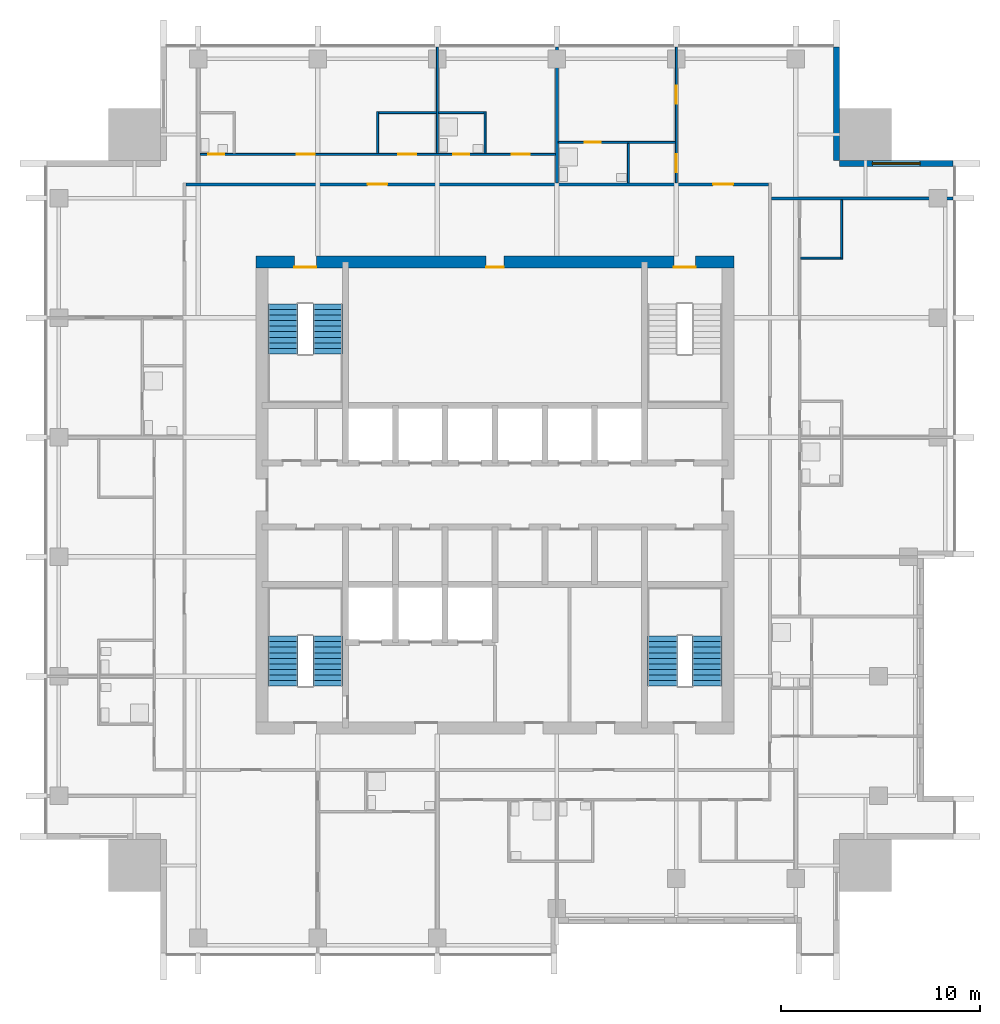
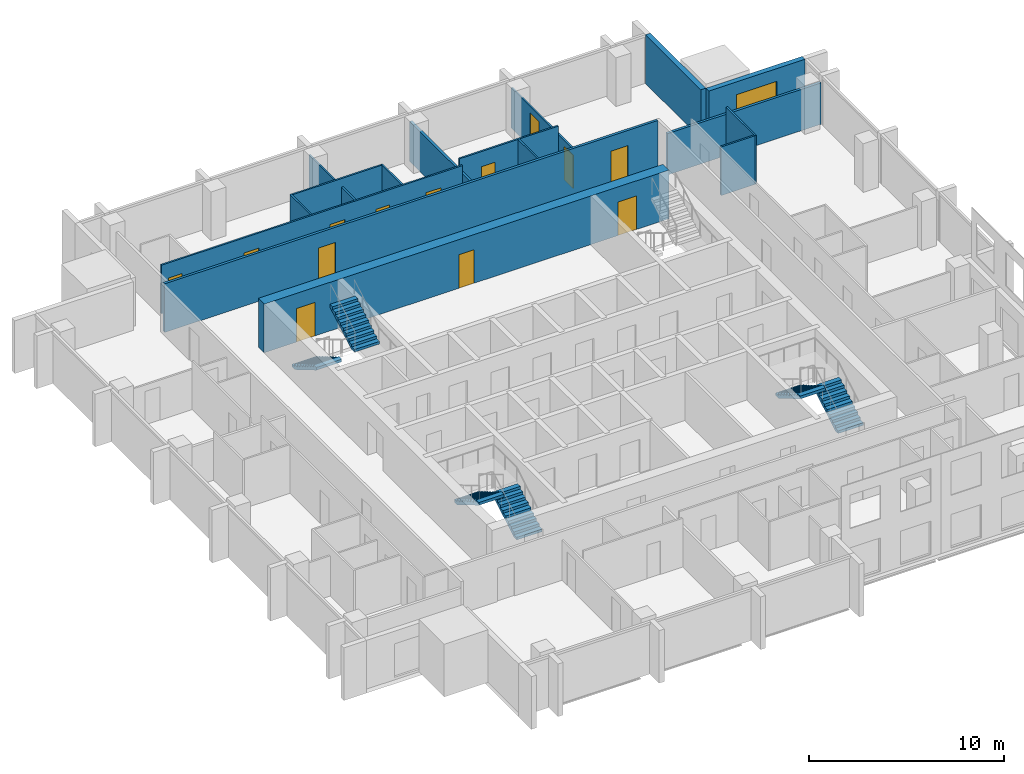
# One storey, part 7 of 11: 16 walls, 13 doors, 6 stair flights, 1 window, 14 openings, 3 elements without a shape of their own.
"""IFC4 building model written with IfcOpenShell, lengths in metres."""

from ifc_helpers import new_model, si_unit, direction, frame, frame_2d, origin, place, context, subcontext, project, spatial, polyline, rectangle, outline, extrude, material, layer, layer_set, type_object, element, fill, aggregate, save


model = new_model("IFC4")

# Units and contexts
model_context = context("Model", 3, precision=1e-05, world=origin(), true_north=direction((0.0, 1.0)))
body_context = subcontext(model_context, "Body", "Model", "MODEL_VIEW")
ifc_project = project(units=[si_unit("LENGTHUNIT", "METRE"), si_unit("AREAUNIT", "SQUARE_METRE"), si_unit("VOLUMEUNIT", "CUBIC_METRE"), si_unit("PLANEANGLEUNIT", "RADIAN"), si_unit("MASSUNIT", "GRAM", prefix="KILO")], contexts=[model_context])

# Site, building, storey
site_placement = place(None, origin())
site = spatial("IfcSite", under=ifc_project, at=site_placement, CompositionType="ELEMENT")
building_placement = place(site_placement, origin())
building = spatial("IfcBuilding", under=site, at=building_placement, Name="Amberfall Residences", CompositionType="ELEMENT")
storey_placement = place(building_placement, frame((0.0, 0.0, 223.300048828125)))
storey = spatial("IfcBuildingStorey", under=building, at=storey_placement, Name="L60", CompositionType="ELEMENT", Elevation=223.300048828125)

# Wall, opening, window
ifc_material_1 = material(Name="Pale stone cladding on insulated backing", Category="masonry")
ifc_layer_1 = layer(ifc_material_1, 0.300048828125)
ifc_layer_set_1 = layer_set([ifc_layer_1], Name="Bronze clad wall 300")
wall_type_1 = type_object("IfcWallType", Name="Bronze clad wall 300", PredefinedType="SOLIDWALL", material=ifc_layer_set_1)
wall_1_placement = place(storey_placement, frame((97.5, 62.14990234375, 0.0), z_axis=(0.0, 0.0, 1.0), x_axis=(-1.0, 0.0, 0.0)))
wall_1 = element("IfcWall", 1, at=wall_1_placement, inside=storey, type_object=wall_type_1, Name="External wall L60 NE", PredefinedType="SOLIDWALL", context=body_context, shape_type="SweptSolid", body=[
    extrude(rectangle(XDim=5.699951171875, YDim=0.300048828125, at=frame_2d((2.85009765625, 0.0))), origin(), (0.0, 0.0, 1.0), 3.050048828125),
])
opening_1_placement = place(wall_1_placement, frame((1.64990234375, 0.0, 0.14990234375)))
opening_1 = element("IfcOpeningElement", 2, at=opening_1_placement, cuts=wall_1, Name="Opening WN5", PredefinedType="OPENING", context=body_context, shape_type="SweptSolid", body=[
    extrude(rectangle(XDim=2.39990234375, YDim=2.10009765625, at=frame_2d((1.199951171875, 1.050048828125))), frame((0.0, 0.159912109375, 0.0), z_axis=(0.0, -1.0, 0.0), x_axis=(1.0, 0.0, 0.0)), (0.0, 0.0, 1.0), 0.320068359375),
])
ifc_material_2 = material(Name="Bronze aluminium framed glazing", Category="aluminium")
window_type = type_object("IfcWindowType", Name="Glazed opening 2400 x 2100 bronze", PartitioningType="DOUBLE_PANEL_VERTICAL", PredefinedType="WINDOW", material=ifc_material_2)
window_placement = place(opening_1_placement, origin())
window = element("IfcWindow", 3, at=window_placement, inside=storey, type_object=window_type, Name="Window L60 NE", OverallHeight=2.10009765625, OverallWidth=2.39990234375, PartitioningType="DOUBLE_PANEL_VERTICAL", PredefinedType="WINDOW", context=body_context, shape_type="SweptSolid", body=[
    extrude(rectangle(XDim=2.39990234375, YDim=2.10009765625, at=frame_2d((1.199951171875, 1.050048828125))), frame((0.0, 0.030029296875, 0.0), z_axis=(0.0, -1.0, 0.0), x_axis=(1.0, 0.0, 0.0)), (0.0, 0.0, 1.0), 0.06005859375),
])
fill(opening_1, window)

# Wall
wall_2_placement = place(storey_placement, frame((91.64990234375, 62.300048828125, 0.0), z_axis=(0.0, 0.0, 1.0), x_axis=(0.0, 1.0, 0.0)))
element("IfcWall", 4, at=wall_2_placement, inside=storey, type_object=wall_type_1, Name="External wall L60 NE", PredefinedType="SOLIDWALL", context=body_context, shape_type="SweptSolid", body=[
    extrude(rectangle(XDim=5.699951171875, YDim=0.300048828125, at=frame_2d((2.85009765625, 0.0))), origin(), (0.0, 0.0, 1.0), 3.050048828125),
])

# Wall, openings, doors
ifc_material_3 = material(Name="Concrete C55", Category="concrete")
ifc_layer_2 = layer(ifc_material_3, 0.60009765625)
ifc_layer_set_2 = layer_set([ifc_layer_2], Name="Core wall 600 C55")
wall_type_2 = type_object("IfcWallType", Name="Core wall 600 C55", PredefinedType="SHEAR", material=ifc_layer_set_2)
wall_3_placement = place(storey_placement, frame((62.5, 57.199951171875, 0.0), z_axis=(0.0, 0.0, 1.0), x_axis=(1.0, 0.0, 0.0)))
wall_3 = element("IfcWall", 5, at=wall_3_placement, inside=storey, type_object=wall_type_2, Name="Core wall RW7 L60 ON", PredefinedType="SHEAR", context=body_context, shape_type="SweptSolid", body=[
    extrude(rectangle(XDim=24.0, YDim=0.60009765625, at=frame_2d((12.0, 0.0))), origin(), (0.0, 0.0, 1.0), 3.050048828125),
])
opening_2_placement = place(wall_3_placement, frame((20.97509765625, 0.0, 0.0)))
opening_2 = element("IfcOpeningElement", 6, at=opening_2_placement, cuts=wall_3, Name="Opening SD1", PredefinedType="OPENING", context=body_context, shape_type="SweptSolid", body=[
    extrude(rectangle(XDim=1.10009765625, YDim=2.10009765625, at=frame_2d((0.550048828125, 1.050048828125))), frame((0.0, 0.31005859375, 0.0), z_axis=(0.0, -1.0, 0.0), x_axis=(1.0, 0.0, 0.0)), (0.0, 0.0, 1.0), 0.6201171875),
])
opening_3_placement = place(wall_3_placement, frame((1.925048828125, 0.0, 0.0)))
opening_3 = element("IfcOpeningElement", 7, at=opening_3_placement, cuts=wall_3, Name="Opening SD1", PredefinedType="OPENING", context=body_context, shape_type="SweptSolid", body=[
    extrude(rectangle(XDim=1.10009765625, YDim=2.10009765625, at=frame_2d((0.550048828125, 1.050048828125))), frame((0.0, 0.31005859375, 0.0), z_axis=(0.0, -1.0, 0.0), x_axis=(1.0, 0.0, 0.0)), (0.0, 0.0, 1.0), 0.6201171875),
])
opening_4_placement = place(wall_3_placement, frame((11.550048828125, 0.0, 0.0)))
opening_4 = element("IfcOpeningElement", 8, at=opening_4_placement, cuts=wall_3, Name="Opening RD1", PredefinedType="OPENING", context=body_context, shape_type="SweptSolid", body=[
    extrude(rectangle(XDim=0.89990234375, YDim=2.10009765625, at=frame_2d((0.449951171875, 1.050048828125))), frame((0.0, 0.31005859375, 0.0), z_axis=(0.0, -1.0, 0.0), x_axis=(1.0, 0.0, 0.0)), (0.0, 0.0, 1.0), 0.6201171875),
])
ifc_material_4 = material(Name="Steel fire door set", Category="steel")
door_type_1 = type_object("IfcDoorType", Name="Service room door 900 x 2100", OperationType="SINGLE_SWING_LEFT", PredefinedType="DOOR", material=ifc_material_4)
door_1_placement = place(opening_4_placement, origin())
door_1 = element("IfcDoor", 9, at=door_1_placement, inside=storey, type_object=door_type_1, Name="RD1 L60", OperationType="SINGLE_SWING_RIGHT", OverallHeight=2.10009765625, OverallWidth=0.89990234375, PredefinedType="DOOR", context=body_context, shape_type="SweptSolid", body=[
    extrude(rectangle(XDim=0.89990234375, YDim=2.10009765625, at=frame_2d((0.449951171875, 1.050048828125))), frame((0.0, -0.2373046875, 0.0), z_axis=(0.0, -1.0, 0.0), x_axis=(1.0, 0.0, 0.0)), (0.0, 0.0, 1.0), 0.050048828125),
])
fill(opening_4, door_1)
door_type_2 = type_object("IfcDoorType", Name="Stair door 1100 x 2100", OperationType="SINGLE_SWING_LEFT", PredefinedType="DOOR", material=ifc_material_4)
door_2_placement = place(opening_2_placement, origin())
door_2 = element("IfcDoor", 10, at=door_2_placement, inside=storey, type_object=door_type_2, Name="SD1 L60", OperationType="SINGLE_SWING_RIGHT", OverallHeight=2.10009765625, OverallWidth=1.10009765625, PredefinedType="DOOR", context=body_context, shape_type="SweptSolid", body=[
    extrude(rectangle(XDim=1.10009765625, YDim=2.10009765625, at=frame_2d((0.550048828125, 1.050048828125))), frame((0.0, -0.2373046875, 0.0), z_axis=(0.0, -1.0, 0.0), x_axis=(1.0, 0.0, 0.0)), (0.0, 0.0, 1.0), 0.050048828125),
])
fill(opening_2, door_2)
door_3_placement = place(opening_3_placement, origin())
door_3 = element("IfcDoor", 11, at=door_3_placement, inside=storey, type_object=door_type_2, Name="SD1 L60", OperationType="SINGLE_SWING_LEFT", OverallHeight=2.10009765625, OverallWidth=1.10009765625, PredefinedType="DOOR", context=body_context, shape_type="SweptSolid", body=[
    extrude(rectangle(XDim=1.10009765625, YDim=2.10009765625, at=frame_2d((0.550048828125, 1.050048828125))), frame((0.0, -0.2373046875, 0.0), z_axis=(0.0, -1.0, 0.0), x_axis=(1.0, 0.0, 0.0)), (0.0, 0.0, 1.0), 0.050048828125),
])
fill(opening_3, door_3)

# Walls
ifc_material_5 = material(Name="Gypsum board on metal stud")
ifc_layer_3 = layer(ifc_material_5, 0.10009765625)
ifc_layer_set_3 = layer_set([ifc_layer_3], Name="Flat partition 100")
wall_type_3 = type_object("IfcWallType", Name="Flat partition 100", PredefinedType="PARTITIONING", material=ifc_layer_set_3)
wall_4_placement = place(storey_placement, frame((68.60009765625, 62.64990234375, 0.0), z_axis=(0.0, 0.0, 1.0), x_axis=(0.0, 1.0, 0.0)))
element("IfcWall", 12, at=wall_4_placement, inside=storey, type_object=wall_type_3, Name="Partition 008", PredefinedType="PARTITIONING", context=body_context, shape_type="SweptSolid", body=[
    extrude(rectangle(XDim=2.10009765625, YDim=0.10009765625, at=frame_2d((1.050048828125, 0.0))), origin(), (0.0, 0.0, 1.0), 3.050048828125),
])
wall_5_placement = place(storey_placement, frame((71.60009765625, 62.64990234375, 0.0), z_axis=(0.0, 0.0, 1.0), x_axis=(0.0, 1.0, 0.0)))
element("IfcWall", 13, at=wall_5_placement, inside=storey, type_object=wall_type_3, Name="Partition 009", PredefinedType="PARTITIONING", context=body_context, shape_type="SweptSolid", body=[
    extrude(rectangle(XDim=5.35009765625, YDim=0.10009765625, at=frame_2d((2.675048828125, 0.0))), origin(), (0.0, 0.0, 1.0), 2.515869140625),
])
wall_6_placement = place(storey_placement, frame((74.0, 62.64990234375, 0.0), z_axis=(0.0, 0.0, 1.0), x_axis=(0.0, 1.0, 0.0)))
element("IfcWall", 14, at=wall_6_placement, inside=storey, type_object=wall_type_3, Name="Partition 010", PredefinedType="PARTITIONING", context=body_context, shape_type="SweptSolid", body=[
    extrude(rectangle(XDim=2.10009765625, YDim=0.10009765625, at=frame_2d((1.050048828125, 0.0))), origin(), (0.0, 0.0, 1.0), 3.050048828125),
])
wall_7_placement = place(storey_placement, frame((81.199951171875, 61.175048828125, 0.0), z_axis=(0.0, 0.0, 1.0), x_axis=(0.0, 1.0, 0.0)))
element("IfcWall", 15, at=wall_7_placement, inside=storey, type_object=wall_type_3, Name="Partition 014", PredefinedType="PARTITIONING", context=body_context, shape_type="SweptSolid", body=[
    extrude(rectangle(XDim=1.974853515625, YDim=0.10009765625, at=frame_2d((0.9873046875, 0.0))), origin(), (0.0, 0.0, 1.0), 3.050048828125),
])

# Wall, openings, doors
wall_8_placement = place(storey_placement, frame((83.60009765625, 61.175048828125, 0.0), z_axis=(0.0, 0.0, 1.0), x_axis=(0.0, 1.0, 0.0)))
wall_8 = element("IfcWall", 16, at=wall_8_placement, inside=storey, type_object=wall_type_3, Name="Partition 015", PredefinedType="PARTITIONING", context=body_context, shape_type="SweptSolid", body=[
    extrude(rectangle(XDim=6.824951171875, YDim=0.10009765625, at=frame_2d((3.41259765625, 0.0))), origin(), (0.0, 0.0, 1.0), 2.515869140625),
])
opening_5_placement = place(wall_8_placement, frame((0.52490234375, 0.0, 0.0)))
opening_5 = element("IfcOpeningElement", 17, at=opening_5_placement, cuts=wall_8, Name="Opening D41", PredefinedType="OPENING", context=body_context, shape_type="SweptSolid", body=[
    extrude(rectangle(XDim=0.89990234375, YDim=2.10009765625, at=frame_2d((0.449951171875, 1.050048828125))), frame((0.0, 0.06005859375, 0.0), z_axis=(0.0, -1.0, 0.0), x_axis=(1.0, 0.0, 0.0)), (0.0, 0.0, 1.0), 0.1201171875),
])
opening_6_placement = place(wall_8_placement, frame((3.97509765625, 0.0, 0.0)))
opening_6 = element("IfcOpeningElement", 18, at=opening_6_placement, cuts=wall_8, Name="Opening D41", PredefinedType="OPENING", context=body_context, shape_type="SweptSolid", body=[
    extrude(rectangle(XDim=0.89990234375, YDim=2.10009765625, at=frame_2d((0.449951171875, 1.050048828125))), frame((0.0, 0.06005859375, 0.0), z_axis=(0.0, -1.0, 0.0), x_axis=(1.0, 0.0, 0.0)), (0.0, 0.0, 1.0), 0.1201171875),
])
ifc_material_6 = material(Name="Timber", Category="wood")
door_type_3 = type_object("IfcDoorType", Name="Internal door 900 x 2100", OperationType="SINGLE_SWING_LEFT", PredefinedType="DOOR", material=ifc_material_6)
door_4_placement = place(opening_5_placement, origin())
door_4 = element("IfcDoor", 19, at=door_4_placement, inside=storey, type_object=door_type_3, Name="Door 6006 kitchen", OperationType="SINGLE_SWING_LEFT", OverallHeight=2.10009765625, OverallWidth=0.89990234375, PredefinedType="DOOR", context=body_context, shape_type="SweptSolid", body=[
    extrude(rectangle(XDim=0.89990234375, YDim=2.10009765625, at=frame_2d((0.449951171875, 1.050048828125))), frame((0.0, 0.02490234375, 0.0), z_axis=(0.0, -1.0, 0.0), x_axis=(1.0, 0.0, 0.0)), (0.0, 0.0, 1.0), 0.050048828125),
])
fill(opening_5, door_4)
door_5_placement = place(opening_6_placement, origin())
door_5 = element("IfcDoor", 20, at=door_5_placement, inside=storey, type_object=door_type_3, Name="Door 6006 bedroom1", OperationType="SINGLE_SWING_LEFT", OverallHeight=2.10009765625, OverallWidth=0.89990234375, PredefinedType="DOOR", context=body_context, shape_type="SweptSolid", body=[
    extrude(rectangle(XDim=0.89990234375, YDim=2.10009765625, at=frame_2d((0.449951171875, 1.050048828125))), frame((0.0, 0.02490234375, 0.0), z_axis=(0.0, -1.0, 0.0), x_axis=(1.0, 0.0, 0.0)), (0.0, 0.0, 1.0), 0.050048828125),
])
fill(opening_6, door_5)

# Walls
wall_9_placement = place(storey_placement, frame((91.89990234375, 57.35009765625, 0.0), z_axis=(0.0, 0.0, 1.0), x_axis=(0.0, 1.0, 0.0)))
element("IfcWall", 21, at=wall_9_placement, inside=storey, type_object=wall_type_3, Name="Partition 022", PredefinedType="PARTITIONING", context=body_context, shape_type="SweptSolid", body=[
    extrude(rectangle(XDim=2.974853515625, YDim=0.10009765625, at=frame_2d((1.4873046875, 0.0))), origin(), (0.0, 0.0, 1.0), 3.050048828125),
])
wall_10_placement = place(storey_placement, frame((68.64990234375, 64.699951171875, 0.0), z_axis=(0.0, 0.0, 1.0), x_axis=(1.0, 0.0, 0.0)))
element("IfcWall", 22, at=wall_10_placement, inside=storey, type_object=wall_type_3, Name="Partition 024", PredefinedType="PARTITIONING", context=body_context, shape_type="SweptSolid", body=[
    extrude(rectangle(XDim=5.300048828125, YDim=0.10009765625, at=frame_2d((2.64990234375, 0.0))), origin(), (0.0, 0.0, 1.0), 3.050048828125),
])

# Wall, opening, door
wall_11_placement = place(storey_placement, frame((83.550048828125, 63.199951171875, 0.0), z_axis=(0.0, 0.0, 1.0), x_axis=(-1.0, 0.0, 0.0)))
wall_11 = element("IfcWall", 23, at=wall_11_placement, inside=storey, type_object=wall_type_3, Name="Partition 025", PredefinedType="PARTITIONING", context=body_context, shape_type="SweptSolid", body=[
    extrude(rectangle(XDim=5.875, YDim=0.10009765625, at=frame_2d((2.9375, 0.0))), origin(), (0.0, 0.0, 1.0), 3.050048828125),
])
opening_7_placement = place(wall_11_placement, frame((3.75, 0.0, 0.0)))
opening_7 = element("IfcOpeningElement", 24, at=opening_7_placement, cuts=wall_11, Name="Opening D42", PredefinedType="OPENING", context=body_context, shape_type="SweptSolid", body=[
    extrude(rectangle(XDim=0.800048828125, YDim=2.10009765625, at=frame_2d((0.39990234375, 1.050048828125))), frame((0.0, 0.06005859375, 0.0), z_axis=(0.0, -1.0, 0.0), x_axis=(1.0, 0.0, 0.0)), (0.0, 0.0, 1.0), 0.1201171875),
])
door_type_4 = type_object("IfcDoorType", Name="Bathroom door 800 x 2100", OperationType="SINGLE_SWING_LEFT", PredefinedType="DOOR", material=ifc_material_6)
door_6_placement = place(opening_7_placement, origin())
door_6 = element("IfcDoor", 25, at=door_6_placement, inside=storey, type_object=door_type_4, Name="Door 6006 bath1", OperationType="SINGLE_SWING_LEFT", OverallHeight=2.10009765625, OverallWidth=0.800048828125, PredefinedType="DOOR", context=body_context, shape_type="SweptSolid", body=[
    extrude(rectangle(XDim=0.800048828125, YDim=2.10009765625, at=frame_2d((0.39990234375, 1.050048828125))), frame((0.0, 0.02490234375, 0.0), z_axis=(0.0, -1.0, 0.0), x_axis=(1.0, 0.0, 0.0)), (0.0, 0.0, 1.0), 0.050048828125),
])
fill(opening_7, door_6)

# Wall, openings, doors
wall_12_placement = place(storey_placement, frame((59.675048828125, 62.60009765625, 0.0), z_axis=(0.0, 0.0, 1.0), x_axis=(1.0, 0.0, 0.0)))
wall_12 = element("IfcWall", 26, at=wall_12_placement, inside=storey, type_object=wall_type_3, Name="Partition 026", PredefinedType="PARTITIONING", context=body_context, shape_type="SweptSolid", body=[
    extrude(rectangle(XDim=17.849853515625, YDim=0.10009765625, at=frame_2d((8.9248046875, 0.0))), origin(), (0.0, 0.0, 1.0), 3.050048828125),
])
opening_8_placement = place(wall_12_placement, frame((4.875, 0.0, 0.0)))
opening_8 = element("IfcOpeningElement", 27, at=opening_8_placement, cuts=wall_12, Name="Opening D41", PredefinedType="OPENING", context=body_context, shape_type="SweptSolid", body=[
    extrude(rectangle(XDim=0.89990234375, YDim=2.10009765625, at=frame_2d((0.449951171875, 1.050048828125))), frame((0.0, 0.06005859375, 0.0), z_axis=(0.0, -1.0, 0.0), x_axis=(1.0, 0.0, 0.0)), (0.0, 0.0, 1.0), 0.1201171875),
])
opening_9_placement = place(wall_12_placement, frame((9.97509765625, 0.0, 0.0)))
opening_9 = element("IfcOpeningElement", 28, at=opening_9_placement, cuts=wall_12, Name="Opening D41", PredefinedType="OPENING", context=body_context, shape_type="SweptSolid", body=[
    extrude(rectangle(XDim=0.89990234375, YDim=2.10009765625, at=frame_2d((0.449951171875, 1.050048828125))), frame((0.0, 0.06005859375, 0.0), z_axis=(0.0, -1.0, 0.0), x_axis=(1.0, 0.0, 0.0)), (0.0, 0.0, 1.0), 0.1201171875),
])
opening_10_placement = place(wall_12_placement, frame((0.425048828125, 0.0, 0.0)))
opening_10 = element("IfcOpeningElement", 29, at=opening_10_placement, cuts=wall_12, Name="Opening D42", PredefinedType="OPENING", context=body_context, shape_type="SweptSolid", body=[
    extrude(rectangle(XDim=0.800048828125, YDim=2.10009765625, at=frame_2d((0.39990234375, 1.050048828125))), frame((0.0, 0.06005859375, 0.0), z_axis=(0.0, -1.0, 0.0), x_axis=(1.0, 0.0, 0.0)), (0.0, 0.0, 1.0), 0.1201171875),
])
opening_11_placement = place(wall_12_placement, frame((15.675048828125, 0.0, 0.0)))
opening_11 = element("IfcOpeningElement", 30, at=opening_11_placement, cuts=wall_12, Name="Opening D41", PredefinedType="OPENING", context=body_context, shape_type="SweptSolid", body=[
    extrude(rectangle(XDim=0.89990234375, YDim=2.10009765625, at=frame_2d((0.449951171875, 1.050048828125))), frame((0.0, 0.06005859375, 0.0), z_axis=(0.0, -1.0, 0.0), x_axis=(1.0, 0.0, 0.0)), (0.0, 0.0, 1.0), 0.1201171875),
])
opening_12_placement = place(wall_12_placement, frame((12.72509765625, 0.0, 0.0)))
opening_12 = element("IfcOpeningElement", 31, at=opening_12_placement, cuts=wall_12, Name="Opening D42", PredefinedType="OPENING", context=body_context, shape_type="SweptSolid", body=[
    extrude(rectangle(XDim=0.800048828125, YDim=2.10009765625, at=frame_2d((0.39990234375, 1.050048828125))), frame((0.0, 0.06005859375, 0.0), z_axis=(0.0, -1.0, 0.0), x_axis=(1.0, 0.0, 0.0)), (0.0, 0.0, 1.0), 0.1201171875),
])
door_7_placement = place(opening_10_placement, origin())
door_7 = element("IfcDoor", 32, at=door_7_placement, inside=storey, type_object=door_type_4, Name="Door 6005 wc1", OperationType="SINGLE_SWING_LEFT", OverallHeight=2.10009765625, OverallWidth=0.800048828125, PredefinedType="DOOR", context=body_context, shape_type="SweptSolid", body=[
    extrude(rectangle(XDim=0.800048828125, YDim=2.10009765625, at=frame_2d((0.39990234375, 1.050048828125))), frame((0.0, 0.02490234375, 0.0), z_axis=(0.0, -1.0, 0.0), x_axis=(1.0, 0.0, 0.0)), (0.0, 0.0, 1.0), 0.050048828125),
])
fill(opening_10, door_7)
door_8_placement = place(opening_12_placement, origin())
door_8 = element("IfcDoor", 33, at=door_8_placement, inside=storey, type_object=door_type_4, Name="Door 6005 bath1", OperationType="SINGLE_SWING_LEFT", OverallHeight=2.10009765625, OverallWidth=0.800048828125, PredefinedType="DOOR", context=body_context, shape_type="SweptSolid", body=[
    extrude(rectangle(XDim=0.800048828125, YDim=2.10009765625, at=frame_2d((0.39990234375, 1.050048828125))), frame((0.0, 0.02490234375, 0.0), z_axis=(0.0, -1.0, 0.0), x_axis=(1.0, 0.0, 0.0)), (0.0, 0.0, 1.0), 0.050048828125),
])
fill(opening_12, door_8)
door_9_placement = place(opening_8_placement, origin())
door_9 = element("IfcDoor", 34, at=door_9_placement, inside=storey, type_object=door_type_3, Name="Door 6005 living", OperationType="SINGLE_SWING_LEFT", OverallHeight=2.10009765625, OverallWidth=0.89990234375, PredefinedType="DOOR", context=body_context, shape_type="SweptSolid", body=[
    extrude(rectangle(XDim=0.89990234375, YDim=2.10009765625, at=frame_2d((0.449951171875, 1.050048828125))), frame((0.0, 0.02490234375, 0.0), z_axis=(0.0, -1.0, 0.0), x_axis=(1.0, 0.0, 0.0)), (0.0, 0.0, 1.0), 0.050048828125),
])
fill(opening_8, door_9)
door_10_placement = place(opening_9_placement, origin())
door_10 = element("IfcDoor", 35, at=door_10_placement, inside=storey, type_object=door_type_3, Name="Door 6005 kitchen", OperationType="SINGLE_SWING_LEFT", OverallHeight=2.10009765625, OverallWidth=0.89990234375, PredefinedType="DOOR", context=body_context, shape_type="SweptSolid", body=[
    extrude(rectangle(XDim=0.89990234375, YDim=2.10009765625, at=frame_2d((0.449951171875, 1.050048828125))), frame((0.0, 0.02490234375, 0.0), z_axis=(0.0, -1.0, 0.0), x_axis=(1.0, 0.0, 0.0)), (0.0, 0.0, 1.0), 0.050048828125),
])
fill(opening_9, door_10)
door_11_placement = place(opening_11_placement, origin())
door_11 = element("IfcDoor", 36, at=door_11_placement, inside=storey, type_object=door_type_3, Name="Door 6005 bedroom1", OperationType="SINGLE_SWING_LEFT", OverallHeight=2.10009765625, OverallWidth=0.89990234375, PredefinedType="DOOR", context=body_context, shape_type="SweptSolid", body=[
    extrude(rectangle(XDim=0.89990234375, YDim=2.10009765625, at=frame_2d((0.449951171875, 1.050048828125))), frame((0.0, 0.02490234375, 0.0), z_axis=(0.0, -1.0, 0.0), x_axis=(1.0, 0.0, 0.0)), (0.0, 0.0, 1.0), 0.050048828125),
])
fill(opening_11, door_11)

# Walls
wall_13_placement = place(storey_placement, frame((89.85009765625, 57.39990234375, 0.0), z_axis=(0.0, 0.0, 1.0), x_axis=(1.0, 0.0, 0.0)))
element("IfcWall", 37, at=wall_13_placement, inside=storey, type_object=wall_type_3, Name="Partition 027", PredefinedType="PARTITIONING", context=body_context, shape_type="SweptSolid", body=[
    extrude(rectangle(XDim=2.0, YDim=0.10009765625, at=frame_2d((1.0, 0.0))), origin(), (0.0, 0.0, 1.0), 3.050048828125),
])
ifc_material_7 = material(Name="Blockwork, plastered", Category="masonry")
ifc_layer_4 = layer(ifc_material_7, 0.14990234375)
ifc_layer_set_4 = layer_set([ifc_layer_4], Name="Flat separating wall 150")
wall_type_4 = type_object("IfcWallType", Name="Flat separating wall 150", PredefinedType="PARTITIONING", material=ifc_layer_set_4)
wall_14_placement = place(storey_placement, frame((77.60009765625, 61.175048828125, 0.0), z_axis=(0.0, 0.0, 1.0), x_axis=(0.0, 1.0, 0.0)))
element("IfcWall", 38, at=wall_14_placement, inside=storey, type_object=wall_type_4, Name="Separating wall 048", PredefinedType="PARTITIONING", context=body_context, shape_type="SweptSolid", body=[
    extrude(rectangle(XDim=6.824951171875, YDim=0.14990234375, at=frame_2d((3.41259765625, 0.0))), origin(), (0.0, 0.0, 1.0), 2.515869140625),
])

# Wall, openings, doors
wall_15_placement = place(storey_placement, frame((58.97509765625, 61.10009765625, 0.0), z_axis=(0.0, 0.0, 1.0), x_axis=(1.0, 0.0, 0.0)))
wall_15 = element("IfcWall", 39, at=wall_15_placement, inside=storey, type_object=wall_type_4, Name="Separating wall 051", PredefinedType="PARTITIONING", context=body_context, shape_type="SweptSolid", body=[
    extrude(rectangle(XDim=29.25, YDim=0.14990234375, at=frame_2d((14.625, 0.0))), origin(), (0.0, 0.0, 1.0), 3.050048828125),
])
opening_13_placement = place(wall_15_placement, frame((9.125, 0.0, 0.0)))
opening_13 = element("IfcOpeningElement", 40, at=opening_13_placement, cuts=wall_15, Name="Opening D40", PredefinedType="OPENING", context=body_context, shape_type="SweptSolid", body=[
    extrude(rectangle(XDim=1.0, YDim=2.10009765625, at=frame_2d((0.5, 1.050048828125))), frame((0.0, 0.0849609375, 0.0), z_axis=(0.0, -1.0, 0.0), x_axis=(1.0, 0.0, 0.0)), (0.0, 0.0, 1.0), 0.169921875),
])
opening_14_placement = place(wall_15_placement, frame((26.47509765625, 0.0, 0.0)))
opening_14 = element("IfcOpeningElement", 41, at=opening_14_placement, cuts=wall_15, Name="Opening D40", PredefinedType="OPENING", context=body_context, shape_type="SweptSolid", body=[
    extrude(rectangle(XDim=1.0, YDim=2.10009765625, at=frame_2d((0.5, 1.050048828125))), frame((0.0, 0.0849609375, 0.0), z_axis=(0.0, -1.0, 0.0), x_axis=(1.0, 0.0, 0.0)), (0.0, 0.0, 1.0), 0.169921875),
])
ifc_material_8 = material(Name="Timber, fire-rated", Category="wood")
door_type_5 = type_object("IfcDoorType", Name="Flat entrance door FD60 1000 x 2100", OperationType="SINGLE_SWING_LEFT", PredefinedType="DOOR", material=ifc_material_8)
door_12_placement = place(opening_13_placement, origin())
door_12 = element("IfcDoor", 42, at=door_12_placement, inside=storey, type_object=door_type_5, Name="Door 6005 entrance", OperationType="SINGLE_SWING_LEFT", OverallHeight=2.10009765625, OverallWidth=1.0, PredefinedType="DOOR", context=body_context, shape_type="SweptSolid", body=[
    extrude(rectangle(XDim=1.0, YDim=2.10009765625, at=frame_2d((0.5, 1.050048828125))), frame((0.0, 0.02490234375, 0.0), z_axis=(0.0, -1.0, 0.0), x_axis=(1.0, 0.0, 0.0)), (0.0, 0.0, 1.0), 0.050048828125),
])
fill(opening_13, door_12)
door_13_placement = place(opening_14_placement, origin())
door_13 = element("IfcDoor", 43, at=door_13_placement, inside=storey, type_object=door_type_5, Name="Door 6006 entrance", OperationType="SINGLE_SWING_LEFT", OverallHeight=2.10009765625, OverallWidth=1.0, PredefinedType="DOOR", context=body_context, shape_type="SweptSolid", body=[
    extrude(rectangle(XDim=1.0, YDim=2.10009765625, at=frame_2d((0.5, 1.050048828125))), frame((0.0, 0.02490234375, 0.0), z_axis=(0.0, -1.0, 0.0), x_axis=(1.0, 0.0, 0.0)), (0.0, 0.0, 1.0), 0.050048828125),
])
fill(opening_14, door_13)

# Wall
wall_16_placement = place(storey_placement, frame((88.375, 60.39990234375, 0.0), z_axis=(0.0, 0.0, 1.0), x_axis=(1.0, 0.0, 0.0)))
element("IfcWall", 44, at=wall_16_placement, inside=storey, type_object=wall_type_4, Name="Separating wall 052", PredefinedType="PARTITIONING", context=body_context, shape_type="SweptSolid", body=[
    extrude(rectangle(XDim=9.125, YDim=0.14990234375, at=frame_2d((4.5625, 0.0))), origin(), (0.0, 0.0, 1.0), 2.58984375),
])

# Stair, stair flights
ifc_material_9 = material(Name="Concrete C40", Category="concrete")
stair_type = type_object("IfcStairType", Name="Exit stair 20 risers 165.0 mm", PredefinedType="HALF_TURN_STAIR", material=ifc_material_9)
stair_1_placement = place(storey_placement, origin())
stair_1 = element("IfcStair", 45, at=stair_1_placement, inside=storey, type_object=stair_type, Name="L60 Exit stair 1", PredefinedType="HALF_TURN_STAIR")
stair_flight_type = type_object("IfcStairFlightType", Name="Stair flight 10 risers 165.0 mm", PredefinedType="STRAIGHT", material=ifc_material_9)
stair_flight_1_placement = place(storey_placement, frame((66.10009765625, 35.89990234375, 0.0), z_axis=(0.0, 0.0, 1.0), x_axis=(0.0, 1.0, 0.0)))
stair_flight_1 = element("IfcStairFlight", 46, at=stair_flight_1_placement, type_object=stair_flight_type, Name="ST3 flight 1", NumberOfRisers=10, NumberOfTreads=9, PredefinedType="STRAIGHT", RiserHeight=0.165, TreadLength=0.28, context=body_context, shape_type="SweptSolid", body=[
    extrude(outline(polyline([(0.0, 0.0), (0.0, 0.1650390625), (0.280029296875, 0.1650390625), (0.280029296875, 0.330078125), (0.56005859375, 0.330078125), (0.56005859375, 0.4951171875), (0.840087890625, 0.4951171875), (0.840087890625, 0.659912109375), (1.1201171875, 0.659912109375), (1.1201171875, 0.824951171875), (1.39990234375, 0.824951171875), (1.39990234375, 0.989990234375), (1.679931640625, 0.989990234375), (1.679931640625, 1.155029296875), (1.9599609375, 1.155029296875), (1.9599609375, 1.320068359375), (2.239990234375, 1.320068359375), (2.239990234375, 1.485107421875), (2.52001953125, 1.485107421875), (2.52001953125, 1.64990234375), (2.52001953125, 1.31103515625), (0.295166015625, 0.0), (0.0, 0.0)])), frame((0.0, 0.75, 0.0), z_axis=(0.0, -1.0, 0.0), x_axis=(1.0, 0.0, 0.0)), (0.0, 0.0, 1.0), 1.5),
])
stair_flight_2_placement = place(storey_placement, frame((63.85009765625, 38.419921875, 1.64990234375), z_axis=(0.0, 0.0, 1.0), x_axis=(0.0, -1.0, 0.0)))
stair_flight_2 = element("IfcStairFlight", 47, at=stair_flight_2_placement, type_object=stair_flight_type, Name="ST3 flight 2", NumberOfRisers=10, NumberOfTreads=9, PredefinedType="STRAIGHT", RiserHeight=0.165, TreadLength=0.28, context=body_context, shape_type="SweptSolid", body=[
    extrude(outline(polyline([(0.0, 0.0), (0.0, 0.1650390625), (0.280029296875, 0.1650390625), (0.280029296875, 0.330078125), (0.56005859375, 0.330078125), (0.56005859375, 0.4951171875), (0.840087890625, 0.4951171875), (0.840087890625, 0.659912109375), (1.1201171875, 0.659912109375), (1.1201171875, 0.824951171875), (1.39990234375, 0.824951171875), (1.39990234375, 0.989990234375), (1.679931640625, 0.989990234375), (1.679931640625, 1.155029296875), (1.9599609375, 1.155029296875), (1.9599609375, 1.320068359375), (2.239990234375, 1.320068359375), (2.239990234375, 1.485107421875), (2.52001953125, 1.485107421875), (2.52001953125, 1.64990234375), (2.52001953125, 1.31103515625), (0.295166015625, 0.0), (0.0, 0.0)])), frame((0.0, 0.75, 0.0), z_axis=(0.0, -1.0, 0.0), x_axis=(1.0, 0.0, 0.0)), (0.0, 0.0, 1.0), 1.5),
])
aggregate(stair_1, [stair_flight_1, stair_flight_2])

stair_2_placement = place(storey_placement, origin())
stair_2 = element("IfcStair", 48, at=stair_2_placement, inside=storey, type_object=stair_type, Name="L60 Exit stair 2", PredefinedType="HALF_TURN_STAIR")
stair_flight_3_placement = place(storey_placement, frame((85.14990234375, 35.89990234375, 0.0), z_axis=(0.0, 0.0, 1.0), x_axis=(0.0, 1.0, 0.0)))
stair_flight_3 = element("IfcStairFlight", 49, at=stair_flight_3_placement, type_object=stair_flight_type, Name="ST3 flight 1", NumberOfRisers=10, NumberOfTreads=9, PredefinedType="STRAIGHT", RiserHeight=0.165, TreadLength=0.28, context=body_context, shape_type="SweptSolid", body=[
    extrude(outline(polyline([(0.0, 0.0), (0.0, 0.1650390625), (0.280029296875, 0.1650390625), (0.280029296875, 0.330078125), (0.56005859375, 0.330078125), (0.56005859375, 0.4951171875), (0.840087890625, 0.4951171875), (0.840087890625, 0.659912109375), (1.1201171875, 0.659912109375), (1.1201171875, 0.824951171875), (1.39990234375, 0.824951171875), (1.39990234375, 0.989990234375), (1.679931640625, 0.989990234375), (1.679931640625, 1.155029296875), (1.9599609375, 1.155029296875), (1.9599609375, 1.320068359375), (2.239990234375, 1.320068359375), (2.239990234375, 1.485107421875), (2.52001953125, 1.485107421875), (2.52001953125, 1.64990234375), (2.52001953125, 1.31103515625), (0.295166015625, 0.0), (0.0, 0.0)])), frame((0.0, 0.75, 0.0), z_axis=(0.0, -1.0, 0.0), x_axis=(1.0, 0.0, 0.0)), (0.0, 0.0, 1.0), 1.5),
])
stair_flight_4_placement = place(storey_placement, frame((82.89990234375, 38.419921875, 1.64990234375), z_axis=(0.0, 0.0, 1.0), x_axis=(0.0, -1.0, 0.0)))
stair_flight_4 = element("IfcStairFlight", 50, at=stair_flight_4_placement, type_object=stair_flight_type, Name="ST3 flight 2", NumberOfRisers=10, NumberOfTreads=9, PredefinedType="STRAIGHT", RiserHeight=0.165, TreadLength=0.28, context=body_context, shape_type="SweptSolid", body=[
    extrude(outline(polyline([(0.0, 0.0), (0.0, 0.1650390625), (0.280029296875, 0.1650390625), (0.280029296875, 0.330078125), (0.56005859375, 0.330078125), (0.56005859375, 0.4951171875), (0.840087890625, 0.4951171875), (0.840087890625, 0.659912109375), (1.1201171875, 0.659912109375), (1.1201171875, 0.824951171875), (1.39990234375, 0.824951171875), (1.39990234375, 0.989990234375), (1.679931640625, 0.989990234375), (1.679931640625, 1.155029296875), (1.9599609375, 1.155029296875), (1.9599609375, 1.320068359375), (2.239990234375, 1.320068359375), (2.239990234375, 1.485107421875), (2.52001953125, 1.485107421875), (2.52001953125, 1.64990234375), (2.52001953125, 1.31103515625), (0.295166015625, 0.0), (0.0, 0.0)])), frame((0.0, 0.75, 0.0), z_axis=(0.0, -1.0, 0.0), x_axis=(1.0, 0.0, 0.0)), (0.0, 0.0, 1.0), 1.5),
])
aggregate(stair_2, [stair_flight_3, stair_flight_4])

stair_3_placement = place(storey_placement, origin())
stair_3 = element("IfcStair", 51, at=stair_3_placement, inside=storey, type_object=stair_type, Name="L60 Exit stair 4", PredefinedType="HALF_TURN_STAIR")
stair_flight_5_placement = place(storey_placement, frame((63.85009765625, 55.10009765625, 0.0), z_axis=(0.0, 0.0, 1.0), x_axis=(0.0, -1.0, 0.0)))
stair_flight_5 = element("IfcStairFlight", 52, at=stair_flight_5_placement, type_object=stair_flight_type, Name="ST3 flight 1", NumberOfRisers=10, NumberOfTreads=9, PredefinedType="STRAIGHT", RiserHeight=0.165, TreadLength=0.28, context=body_context, shape_type="SweptSolid", body=[
    extrude(outline(polyline([(0.0, 0.0), (0.0, 0.1650390625), (0.280029296875, 0.1650390625), (0.280029296875, 0.330078125), (0.56005859375, 0.330078125), (0.56005859375, 0.4951171875), (0.840087890625, 0.4951171875), (0.840087890625, 0.659912109375), (1.1201171875, 0.659912109375), (1.1201171875, 0.824951171875), (1.39990234375, 0.824951171875), (1.39990234375, 0.989990234375), (1.679931640625, 0.989990234375), (1.679931640625, 1.155029296875), (1.9599609375, 1.155029296875), (1.9599609375, 1.320068359375), (2.239990234375, 1.320068359375), (2.239990234375, 1.485107421875), (2.52001953125, 1.485107421875), (2.52001953125, 1.64990234375), (2.52001953125, 1.31103515625), (0.295166015625, 0.0), (0.0, 0.0)])), frame((0.0, 0.75, 0.0), z_axis=(0.0, -1.0, 0.0), x_axis=(1.0, 0.0, 0.0)), (0.0, 0.0, 1.0), 1.5),
])
stair_flight_6_placement = place(storey_placement, frame((66.10009765625, 52.580078125, 1.64990234375), z_axis=(0.0, 0.0, 1.0), x_axis=(0.0, 1.0, 0.0)))
stair_flight_6 = element("IfcStairFlight", 53, at=stair_flight_6_placement, type_object=stair_flight_type, Name="ST3 flight 2", NumberOfRisers=10, NumberOfTreads=9, PredefinedType="STRAIGHT", RiserHeight=0.165, TreadLength=0.28, context=body_context, shape_type="SweptSolid", body=[
    extrude(outline(polyline([(0.0, 0.0), (0.0, 0.1650390625), (0.280029296875, 0.1650390625), (0.280029296875, 0.330078125), (0.56005859375, 0.330078125), (0.56005859375, 0.4951171875), (0.840087890625, 0.4951171875), (0.840087890625, 0.659912109375), (1.1201171875, 0.659912109375), (1.1201171875, 0.824951171875), (1.39990234375, 0.824951171875), (1.39990234375, 0.989990234375), (1.679931640625, 0.989990234375), (1.679931640625, 1.155029296875), (1.9599609375, 1.155029296875), (1.9599609375, 1.320068359375), (2.239990234375, 1.320068359375), (2.239990234375, 1.485107421875), (2.52001953125, 1.485107421875), (2.52001953125, 1.64990234375), (2.52001953125, 1.31103515625), (0.295166015625, 0.0), (0.0, 0.0)])), frame((0.0, 0.75, 0.0), z_axis=(0.0, -1.0, 0.0), x_axis=(1.0, 0.0, 0.0)), (0.0, 0.0, 1.0), 1.5),
])
aggregate(stair_3, [stair_flight_5, stair_flight_6])

save(model, "model.ifc")
